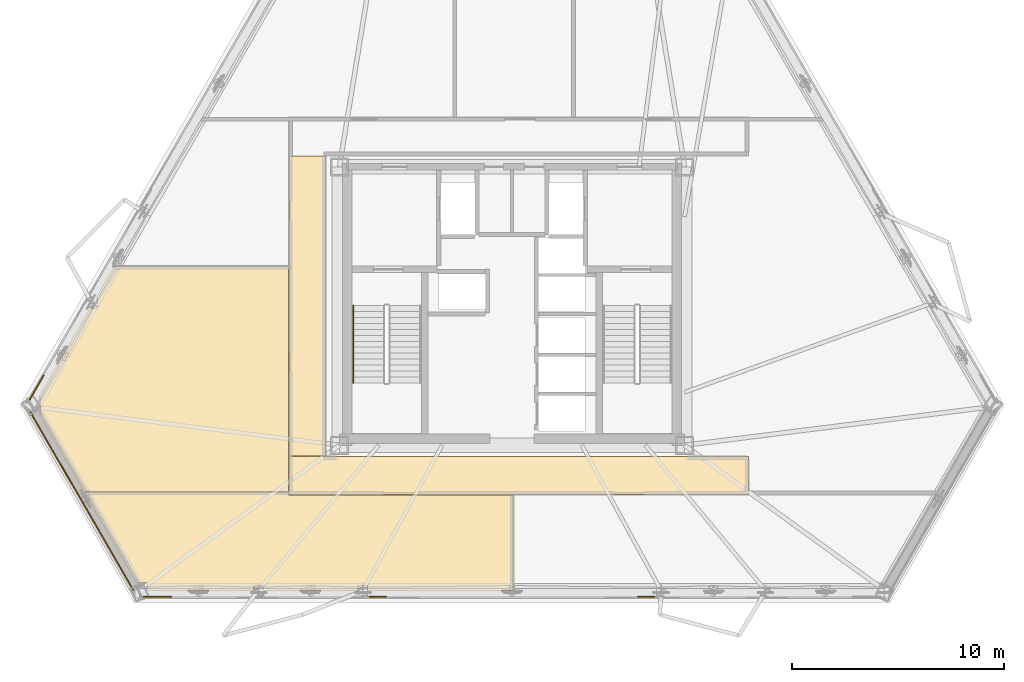
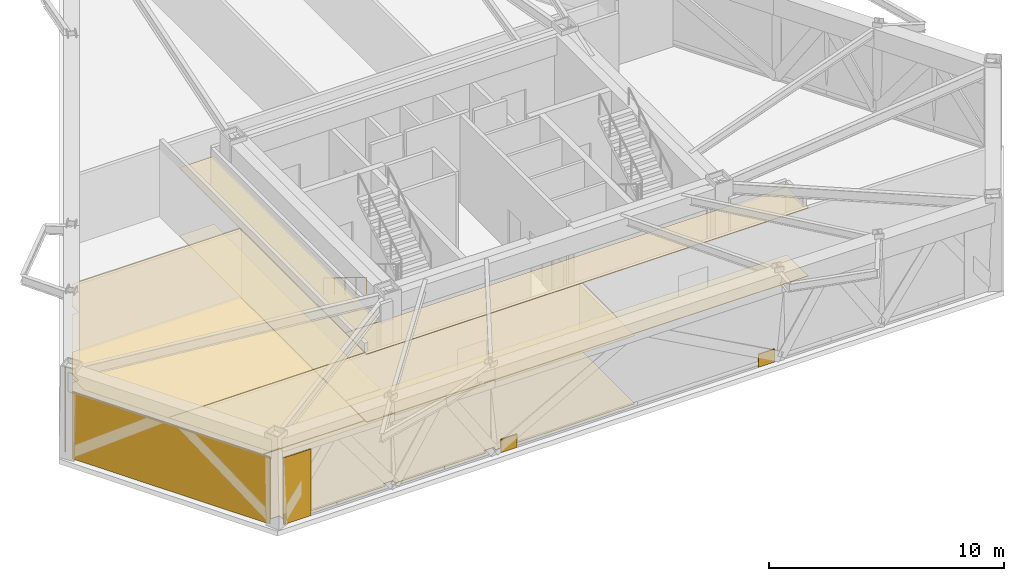
# One storey, part 9 of 11: 13 coverings, 1 railing.
"""IFC4 building model written with IfcOpenShell, lengths in metres."""

import ifcopenshell
import ifcopenshell.guid

model = None  # the IFC model being written
_history = None  # IfcOwnerHistory: only IFC2X3 demands one
_inside = {}  # id of a spatial element -> (the spatial element, [elements in it])
_under = {}  # id of a project, library or spatial element -> (it, [spatial elements below it])
_declared = {}  # id of a project -> (the project, [libraries it declares])
_typed = {}  # id of a type object -> (the type object, [elements of that type])
_made_of = {}  # id of a material, layer set ... -> (it, [elements and type objects made of it])


def new_model(schema):
    """Start an empty IFC model of exactly this schema.

    Asked for "IFC4X3", IfcOpenShell would pick the latest addendum, in which some entities
    have other attributes; the version numbers below select the first issue.
    IFC2X3 requires an IfcOwnerHistory on every rooted entity: one is made here for all.
    """
    global model, _history
    if schema == "IFC4X3":
        model = ifcopenshell.file(schema_version=(4, 3, 0, 0))
    else:
        model = ifcopenshell.file(schema=schema)
    _inside.clear()
    _under.clear()
    _declared.clear()
    _typed.clear()
    _made_of.clear()
    _history = None
    if model.schema == "IFC2X3":
        org = make("IfcOrganization", Name="unknown")
        user = make(
            "IfcPersonAndOrganization",
            ThePerson=make("IfcPerson", FamilyName="unknown"),
            TheOrganization=org,
        )
        app = make(
            "IfcApplication",
            ApplicationDeveloper=org,
            Version="unknown",
            ApplicationFullName="unknown",
            ApplicationIdentifier="unknown",
        )
        _history = make(
            "IfcOwnerHistory",
            OwningUser=user,
            OwningApplication=app,
            ChangeAction="ADDED",
            CreationDate=0,
        )
    return model


def make(cls, **values):
    """One entity of the class cls with the attributes given. An attribute that is None is left unset."""
    return model.create_entity(
        cls, **{name: value for name, value in values.items() if value is not None}
    )


def rooted(cls, **values):
    """An entity with a GlobalId (a new one), such as an element, a storey or a relation."""
    return make(cls, GlobalId=ifcopenshell.guid.new(), OwnerHistory=_history, **values)


def si_unit(unit_type, name, prefix=None):
    """IfcSIUnit, for example si_unit("LENGTHUNIT", "METRE", prefix="MILLI")."""
    return make("IfcSIUnit", UnitType=unit_type, Prefix=prefix, Name=name)


def assignment(units):
    """IfcUnitAssignment: the units of a project."""
    return None if units is None else make("IfcUnitAssignment", Units=units)


def point(xyz):
    """IfcCartesianPoint."""
    return None if xyz is None else make("IfcCartesianPoint", Coordinates=xyz)


def direction(xyz):
    """IfcDirection."""
    return None if xyz is None else make("IfcDirection", DirectionRatios=xyz)


def frame(location, z_axis=None, x_axis=None):
    """IfcAxis2Placement3D, a coordinate frame: its origin and axes. An axis left out is left unset."""
    return make(
        "IfcAxis2Placement3D",
        Location=point(location),
        Axis=direction(z_axis),
        RefDirection=direction(x_axis),
    )


def frame_2d(location, x_axis=None):
    """IfcAxis2Placement2D, a coordinate frame in the plane: its origin and x axis."""
    return make(
        "IfcAxis2Placement2D", Location=point(location), RefDirection=direction(x_axis)
    )


def origin():
    """The frame at (0, 0, 0) with its axes left unset."""
    return frame((0.0, 0.0, 0.0))


def origin_2d():
    """The frame at (0, 0) in the plane with its x axis left unset."""
    return frame_2d((0.0, 0.0))


def place(relative_to, where):
    """IfcLocalPlacement: puts the frame where relative to a parent placement (None: the world)."""
    return make(
        "IfcLocalPlacement", PlacementRelTo=relative_to, RelativePlacement=where
    )


def context(
    kind, dimensions, precision=None, world=None, true_north=None, identifier=None
):
    """IfcGeometricRepresentationContext, for example the 3D "Model" context."""
    return make(
        "IfcGeometricRepresentationContext",
        ContextIdentifier=identifier,
        ContextType=kind,
        CoordinateSpaceDimension=dimensions,
        Precision=precision,
        WorldCoordinateSystem=world,
        TrueNorth=true_north,
    )


def subcontext(parent, identifier, kind, view, scale=None):
    """IfcGeometricRepresentationSubContext, for example "Body" below "Model"."""
    return make(
        "IfcGeometricRepresentationSubContext",
        ContextIdentifier=identifier,
        ContextType=kind,
        ParentContext=parent,
        TargetScale=scale,
        TargetView=view,
    )


def project(units=None, contexts=None):
    """IfcProject with its units and contexts."""
    return rooted(
        "IfcProject",
        Name="project",
        RepresentationContexts=contexts,
        UnitsInContext=assignment(units),
    )


def spatial(cls, under=None, at=None, **own):
    """A site, building, storey or space (cls), placed at a placement, below another one or the project."""
    s = rooted(cls, ObjectPlacement=at, **own)
    if under is not None:
        _under.setdefault(under.id(), (under, []))[1].append(s)
    return s


def polyline(points):
    """IfcPolyline through the points."""
    return make("IfcPolyline", Points=[point(p) for p in points])


def profile(cls, at=None, kind="AREA", **sizes):
    """A parametric profile (cls). Its sizes go by their IFC names, for example OverallWidth=200.0."""
    return make(cls, ProfileType=kind, Position=at, **sizes)


def rectangle(**sizes):
    """IfcRectangleProfileDef."""
    return profile("IfcRectangleProfileDef", **sizes)


def circle(**sizes):
    """IfcCircleProfileDef."""
    return profile("IfcCircleProfileDef", **sizes)


def outline(outer, holes=None, kind="AREA"):
    """IfcArbitraryClosedProfileDef: a profile drawn as a closed curve; with holes, ...WithVoids."""
    if holes is None:
        return make("IfcArbitraryClosedProfileDef", ProfileType=kind, OuterCurve=outer)
    return make(
        "IfcArbitraryProfileDefWithVoids",
        ProfileType=kind,
        OuterCurve=outer,
        InnerCurves=holes,
    )


def extrude(swept, where, along, depth):
    """IfcExtrudedAreaSolid: the profile swept, set in the frame where, extruded along a direction by depth."""
    return make(
        "IfcExtrudedAreaSolid",
        SweptArea=swept,
        Position=where,
        ExtrudedDirection=direction(along),
        Depth=depth,
    )


def shape(context_of_items, identifier, shape_type, items):
    """IfcShapeRepresentation: the items that make up one representation, for example the "Body"."""
    return make(
        "IfcShapeRepresentation",
        ContextOfItems=context_of_items,
        RepresentationIdentifier=identifier,
        RepresentationType=shape_type,
        Items=items,
    )


def material(Name=None, Category=None):
    """IfcMaterial."""
    return make("IfcMaterial", Name=Name, Category=Category)


def layer(
    of_material, thickness, ventilated=None, Name=None, Category=None, Priority=None
):
    """IfcMaterialLayer: one layer of a wall or slab, of a material (None: an air gap)."""
    return make(
        "IfcMaterialLayer",
        Material=of_material,
        LayerThickness=thickness,
        IsVentilated=ventilated,
        Name=Name,
        Category=Category,
        Priority=Priority,
    )


def layer_set(layers, Name=None):
    """IfcMaterialLayerSet."""
    return make("IfcMaterialLayerSet", MaterialLayers=layers, LayerSetName=Name)


def made_of(thing, what):
    """Note that an element or type object is made of a material, layer set ...; save() writes the relation."""
    if what is not None:
        _made_of.setdefault(what.id(), (what, []))[1].append(thing)
    return thing


def type_object(cls, material=None, **own):
    """A type object (cls), such as IfcWallType, which elements share."""
    return made_of(rooted(cls, **own), material)


def element(
    cls,
    number,
    at=None,
    inside=None,
    cuts=None,
    type_object=None,
    material=None,
    context=None,
    identifier="Body",
    shape_type=None,
    held_by="IfcProductDefinitionShape",
    body=None,
    shapes=None,
    **own,
):
    """One element of the class cls, such as IfcWall. Its Tag is "e" and its number.

    at: its placement. inside: the storey or other place that contains it. cuts: it is an
    opening in that element (IfcRelVoidsElement). A single representation is given by context,
    identifier, shape_type and body (its items); several are given by shapes. held_by: the class
    of the entity that holds the representations. save() writes the other relations.
    """
    e = rooted(cls, Tag="e%d" % number, ObjectPlacement=at, **own)
    if body is not None:
        shapes = [shape(context, identifier, shape_type, body)]
    if shapes is not None:
        e.Representation = make(held_by, Representations=shapes)
    if inside is not None:
        _inside.setdefault(inside.id(), (inside, []))[1].append(e)
    if cuts is not None:
        rooted(
            "IfcRelVoidsElement", RelatingBuildingElement=cuts, RelatedOpeningElement=e
        )
    if type_object is not None:
        _typed.setdefault(type_object.id(), (type_object, []))[1].append(e)
    return made_of(e, material)


def aggregate(whole, parts):
    """IfcRelAggregates: a whole, such as a stair, and the parts it consists of."""
    return rooted("IfcRelAggregates", RelatingObject=whole, RelatedObjects=parts)


def save(model, path):
    """Write the relations noted so far, then the file.

    IfcRelAggregates (storeys below a building ...), IfcRelContainedInSpatialStructure (elements
    in a storey), IfcRelDefinesByType, IfcRelAssociatesMaterial and IfcRelDeclares: one each for
    every whole, place, type object, material and project.
    """
    for whole, parts in _under.values():
        aggregate(whole, parts)
    for where, things in _inside.values():
        rooted(
            "IfcRelContainedInSpatialStructure",
            RelatedElements=things,
            RelatingStructure=where,
        )
    for kind, things in _typed.values():
        rooted("IfcRelDefinesByType", RelatedObjects=things, RelatingType=kind)
    for what, things in _made_of.values():
        rooted("IfcRelAssociatesMaterial", RelatedObjects=things, RelatingMaterial=what)
    for by, libraries in _declared.values():
        rooted("IfcRelDeclares", RelatingContext=by, RelatedDefinitions=libraries)
    model.write(path)


model = new_model("IFC4")

# Units and contexts
model_context = context("Model", 3, precision=1e-05, world=origin(), true_north=direction((0.0, 1.0)))
body_context = subcontext(model_context, "Body", "Model", "MODEL_VIEW")
ifc_project = project(units=[si_unit("LENGTHUNIT", "METRE"), si_unit("AREAUNIT", "SQUARE_METRE"), si_unit("VOLUMEUNIT", "CUBIC_METRE"), si_unit("PLANEANGLEUNIT", "RADIAN"), si_unit("MASSUNIT", "GRAM", prefix="KILO")], contexts=[model_context])

# Site, building, storey
site_placement = place(None, origin())
site = spatial("IfcSite", under=ifc_project, at=site_placement, CompositionType="ELEMENT")
building_placement = place(site_placement, origin())
building = spatial("IfcBuilding", under=site, at=building_placement, Name="Oramaril Tower", CompositionType="ELEMENT")
storey_placement = place(building_placement, frame((0.0, 0.0, 133.800048828125)))
storey = spatial("IfcBuildingStorey", under=building, at=storey_placement, Name="L35", CompositionType="ELEMENT", Elevation=133.800048828125)

# Coverings
ifc_material_1 = material(Name="Mineral Fibre Acoustic Ceiling")
ifc_layer_1 = layer(ifc_material_1, 0.02001953125)
ifc_layer_set_1 = layer_set([ifc_layer_1], Name="CVT-CEIL")
covering_type_1 = type_object("IfcCoveringType", Name="CVT-CEIL", PredefinedType="CEILING", material=ifc_layer_set_1)
covering_1_placement = place(storey_placement, frame((0.0, 0.0, 3.5419921875)))
element("IfcCovering", 1, at=covering_1_placement, inside=storey, type_object=covering_type_1, Name="L35 Acoustic Suspended Ceiling 1", PredefinedType="CEILING", context=body_context, shape_type="SweptSolid", body=[
    extrude(outline(polyline([(48.679931640625, 10.47998046875), (48.679931640625, 8.669921875), (26.969970703125, 8.669921875), (26.969970703125, 10.47998046875), (48.679931640625, 10.47998046875)])), origin(), (0.0, 0.0, 1.0), 0.02001953125),
])
covering_2_placement = place(storey_placement, frame((0.0, 0.0, 3.5419921875)))
element("IfcCovering", 2, at=covering_2_placement, inside=storey, type_object=covering_type_1, Name="L35 Acoustic Suspended Ceiling 3", PredefinedType="CEILING", context=body_context, shape_type="SweptSolid", body=[
    extrude(outline(polyline([(28.699951171875, 10.5), (26.969970703125, 10.5), (26.969970703125, 24.64990234375), (28.699951171875, 24.64990234375), (28.699951171875, 10.5)])), origin(), (0.0, 0.0, 1.0), 0.02001953125),
])
covering_3_placement = place(storey_placement, frame((0.0, 0.0, 3.5419921875)))
element("IfcCovering", 3, at=covering_3_placement, inside=storey, type_object=covering_type_1, Name="L35 Acoustic Suspended Ceiling 4", PredefinedType="CEILING", context=body_context, shape_type="SweptSolid", body=[
    extrude(outline(polyline([(37.5419921875, 4.148681640625), (30.684326171875, 4.148681640625), (30.684326171875, 4.34375), (30.22412109375, 4.34375), (30.22412109375, 4.148681640625), (25.757080078125, 4.148681640625), (25.757080078125, 4.34375), (25.287109375, 4.34375), (25.287109375, 4.148681640625), (20.273193359375, 4.148681640625), (20.273193359375, 4.49072265625), (19.76806640625, 4.49072265625), (17.284912109375, 8.7919921875), (26.949951171875, 8.7919921875), (26.949951171875, 8.669921875), (26.9501953125, 8.66796875), (26.950439453125, 8.666015625), (26.950927734375, 8.664306640625), (26.951416015625, 8.662353515625), (26.952392578125, 8.66064453125), (26.953369140625, 8.658935546875), (26.95458984375, 8.6572265625), (26.955810546875, 8.656005859375), (26.957275390625, 8.654541015625), (26.958984375, 8.6533203125), (26.960693359375, 8.65234375), (26.96240234375, 8.651611328125), (26.964111328125, 8.65087890625), (26.966064453125, 8.650390625), (26.968017578125, 8.650146484375), (26.969970703125, 8.64990234375), (37.5419921875, 8.64990234375), (37.5419921875, 4.148681640625)])), origin(), (0.0, 0.0, 1.0), 0.02001953125),
])
covering_4_placement = place(storey_placement, frame((0.0, 0.0, 3.5419921875)))
element("IfcCovering", 4, at=covering_4_placement, inside=storey, type_object=covering_type_1, Name="L35 Acoustic Suspended Ceiling 6", PredefinedType="CEILING", context=body_context, shape_type="SweptSolid", body=[
    extrude(outline(polyline([(15.173095703125, 12.44970703125), (15.215576171875, 12.44970703125), (15.215576171875, 13.260498046875), (15.132080078125, 13.260498046875), (17.5703125, 17.483154296875), (17.8896484375, 17.483154296875), (17.8896484375, 17.989990234375), (17.86279296875, 17.989990234375), (18.701171875, 19.44189453125), (26.949951171875, 19.44189453125), (26.949951171875, 10.5), (26.9501953125, 10.498046875), (26.950439453125, 10.49609375), (26.950927734375, 10.494140625), (26.951416015625, 10.4921875), (26.952392578125, 10.490478515625), (26.95263671875, 10.489990234375), (26.952392578125, 10.489501953125), (26.951416015625, 10.48779296875), (26.950927734375, 10.48583984375), (26.950439453125, 10.48388671875), (26.9501953125, 10.48193359375), (26.949951171875, 10.47998046875), (26.949951171875, 8.81201171875), (17.284912109375, 8.81201171875), (17.28271484375, 8.81201171875), (17.281005859375, 8.8115234375), (17.27880859375, 8.81103515625), (17.277099609375, 8.810302734375), (17.275390625, 8.8095703125), (17.27490234375, 8.809326171875), (15.173095703125, 12.44970703125)])), origin(), (0.0, 0.0, 1.0), 0.02001953125),
])
ifc_material_2 = material(Name="Warm Cream Limestone", Category="masonry")
ifc_layer_2 = layer(ifc_material_2, 0.050048828125)
ifc_layer_set_2 = layer_set([ifc_layer_2], Name="CVT-CLD")
covering_type_2 = type_object("IfcCoveringType", Name="CVT-CLD", PredefinedType="CLADDING", material=ifc_layer_set_2)
covering_5_placement = place(storey_placement, frame((17.181396484375, 8.369140625, 0.0400390625), z_axis=(0.0, 0.0, 1.0), x_axis=(0.499996976998, -0.866027149108, 0.0)))
element("IfcCovering", 5, at=covering_5_placement, inside=storey, type_object=covering_type_2, Name="L35 Warm Cream Limestone Cladding", PredefinedType="CLADDING", context=body_context, shape_type="SweptSolid", body=[
    extrude(rectangle(XDim=9.718994140625, YDim=0.050048828125, at=origin_2d()), origin(), (0.0, 0.0, 1.0), 3.469970703125),
])
covering_6_placement = place(storey_placement, frame((20.75341796875, 3.84765625, 0.0400390625), z_axis=(0.0, 0.0, 1.0), x_axis=(1.0, 0.0, 0.0)))
element("IfcCovering", 6, at=covering_6_placement, inside=storey, type_object=covering_type_2, Name="L35 Warm Cream Limestone Cladding", PredefinedType="CLADDING", context=body_context, shape_type="SweptSolid", body=[
    extrude(rectangle(XDim=1.35009765625, YDim=0.050048828125, at=origin_2d()), origin(), (0.0, 0.0, 1.0), 3.469970703125),
])
for number, where, z_axis, x_axis, name in (
    (7, (31.165283203125, 3.84765625, 0.0400390625), (0.0, 0.0, 1.0), (1.0, 0.0, 0.0), "L35 Warm Cream Limestone Spandrel Cladding"),
    (8, (43.834716796875, 3.84765625, 0.0400390625), (0.0, 0.0, 1.0), (1.0, 0.0, 0.0), "L35 Warm Cream Limestone Spandrel Cladding"),
):
    element("IfcCovering", number, at=place(storey_placement, frame(where, z_axis=z_axis, x_axis=x_axis)), inside=storey, type_object=covering_type_2, Name=name, PredefinedType="CLADDING", context=body_context, shape_type="SweptSolid", body=[
        extrude(rectangle(XDim=0.800048828125, YDim=0.050048828125, at=origin_2d()), origin(), (0.0, 0.0, 1.0), 0.679931640625),
    ])
covering_7_placement = place(storey_placement, frame((15.0517578125, 13.72314453125, 0.0400390625), z_axis=(0.0, 0.0, 1.0), x_axis=(-0.500001511499, -0.866024531118, 0.0)))
element("IfcCovering", 9, at=covering_7_placement, inside=storey, type_object=covering_type_2, Name="L35 Warm Cream Limestone Cladding", PredefinedType="CLADDING", context=body_context, shape_type="SweptSolid", body=[
    extrude(rectangle(XDim=1.35009765625, YDim=0.050048828125, at=origin_2d()), origin(), (0.0, 0.0, 1.0), 3.469970703125),
])
ifc_material_3 = material(Name="Honed Quartzite Stone Flooring", Category="masonry")
ifc_layer_3 = layer(ifc_material_3, 0.02490234375)
ifc_layer_set_3 = layer_set([ifc_layer_3], Name="CVT-FLR")
covering_type_3 = type_object("IfcCoveringType", Name="CVT-FLR", PredefinedType="FLOORING", material=ifc_layer_set_3)
covering_8_placement = place(storey_placement, origin())
element("IfcCovering", 10, at=covering_8_placement, inside=storey, type_object=covering_type_3, Name="L35 Honed Stone Floor Finish 1", PredefinedType="FLOORING", context=body_context, shape_type="SweptSolid", body=[
    extrude(outline(polyline([(48.679931640625, 10.47998046875), (48.679931640625, 8.669921875), (26.969970703125, 8.669921875), (26.969970703125, 10.47998046875), (48.679931640625, 10.47998046875)])), origin(), (0.0, 0.0, 1.0), 0.02490234375),
])
covering_9_placement = place(storey_placement, origin())
element("IfcCovering", 11, at=covering_9_placement, inside=storey, type_object=covering_type_3, Name="L35 Honed Stone Floor Finish 3", PredefinedType="FLOORING", context=body_context, shape_type="SweptSolid", body=[
    extrude(outline(polyline([(28.699951171875, 10.5), (26.969970703125, 10.5), (26.969970703125, 24.64990234375), (28.699951171875, 24.64990234375), (28.699951171875, 10.5)])), origin(), (0.0, 0.0, 1.0), 0.02490234375),
])
covering_10_placement = place(storey_placement, origin())
element("IfcCovering", 12, at=covering_10_placement, inside=storey, type_object=covering_type_3, Name="L35 Honed Stone Floor Finish 4", PredefinedType="FLOORING", context=body_context, shape_type="SweptSolid", body=[
    extrude(outline(polyline([(37.5419921875, 4.148681640625), (30.684326171875, 4.148681640625), (30.684326171875, 4.34375), (30.22412109375, 4.34375), (30.22412109375, 4.148681640625), (25.757080078125, 4.148681640625), (25.757080078125, 4.34375), (25.287109375, 4.34375), (25.287109375, 4.148681640625), (20.273193359375, 4.148681640625), (20.273193359375, 4.49072265625), (19.76806640625, 4.49072265625), (17.284912109375, 8.7919921875), (26.949951171875, 8.7919921875), (26.949951171875, 8.669921875), (26.9501953125, 8.66796875), (26.950439453125, 8.666015625), (26.950927734375, 8.664306640625), (26.951416015625, 8.662353515625), (26.952392578125, 8.66064453125), (26.953369140625, 8.658935546875), (26.95458984375, 8.6572265625), (26.955810546875, 8.656005859375), (26.957275390625, 8.654541015625), (26.958984375, 8.6533203125), (26.960693359375, 8.65234375), (26.96240234375, 8.651611328125), (26.964111328125, 8.65087890625), (26.966064453125, 8.650390625), (26.968017578125, 8.650146484375), (26.969970703125, 8.64990234375), (37.5419921875, 8.64990234375), (37.5419921875, 4.148681640625)])), origin(), (0.0, 0.0, 1.0), 0.02490234375),
])
covering_11_placement = place(storey_placement, origin())
element("IfcCovering", 13, at=covering_11_placement, inside=storey, type_object=covering_type_3, Name="L35 Honed Stone Floor Finish 6", PredefinedType="FLOORING", context=body_context, shape_type="SweptSolid", body=[
    extrude(outline(polyline([(15.173095703125, 12.44970703125), (15.215576171875, 12.44970703125), (15.215576171875, 13.260498046875), (15.132080078125, 13.260498046875), (17.5703125, 17.483154296875), (17.8896484375, 17.483154296875), (17.8896484375, 17.989990234375), (17.86279296875, 17.989990234375), (18.701171875, 19.44189453125), (26.949951171875, 19.44189453125), (26.949951171875, 10.5), (26.9501953125, 10.498046875), (26.950439453125, 10.49609375), (26.950927734375, 10.494140625), (26.951416015625, 10.4921875), (26.952392578125, 10.490478515625), (26.95263671875, 10.489990234375), (26.952392578125, 10.489501953125), (26.951416015625, 10.48779296875), (26.950927734375, 10.48583984375), (26.950439453125, 10.48388671875), (26.9501953125, 10.48193359375), (26.949951171875, 10.47998046875), (26.949951171875, 8.81201171875), (17.284912109375, 8.81201171875), (17.28271484375, 8.81201171875), (17.281005859375, 8.8115234375), (17.27880859375, 8.81103515625), (17.277099609375, 8.810302734375), (17.275390625, 8.8095703125), (17.27490234375, 8.809326171875), (15.173095703125, 12.44970703125)])), origin(), (0.0, 0.0, 1.0), 0.02490234375),
])

# Railing
ifc_material_4 = material(Name="Stainless Steel 316L", Category="steel")
railing_type = type_object("IfcRailingType", Name="RLT-HND", PredefinedType="HANDRAIL", material=ifc_material_4)
railing_placement = place(storey_placement, frame((30.0, 17.590087890625, 0.17138671875)))
element("IfcRailing", 14, at=railing_placement, inside=storey, type_object=railing_type, Name="L35 ST-1 stair handrail 1", PredefinedType="HANDRAIL", context=body_context, shape_type="SweptSolid", body=[
    extrude(circle(Radius=0.02392578125, at=origin_2d()), frame((0.0, 0.0, 0.8759765625), z_axis=(0.0, -0.852865859571, 0.52213008492), x_axis=(1.0, 0.0, 0.0)), (0.0, 0.0, 1.0), 4.26806640625),
    extrude(circle(Radius=0.02099609375, at=origin_2d()), origin(), (0.0, 0.0, 1.0), 0.851806640625),
    extrude(circle(Radius=0.02099609375, at=origin_2d()), frame((0.0, -0.91015625, 0.55712890625)), (0.0, 0.0, 1.0), 0.851806640625),
    extrude(circle(Radius=0.02099609375, at=origin_2d()), frame((0.0, -1.820068359375, 1.1142578125)), (0.0, 0.0, 1.0), 0.851806640625),
    extrude(circle(Radius=0.02099609375, at=origin_2d()), frame((0.0, -2.72998046875, 1.67138671875)), (0.0, 0.0, 1.0), 0.851806640625),
    extrude(circle(Radius=0.02099609375, at=origin_2d()), frame((0.0, -3.64013671875, 2.228515625)), (0.0, 0.0, 1.0), 0.851806640625),
])

save(model, "model.ifc")
